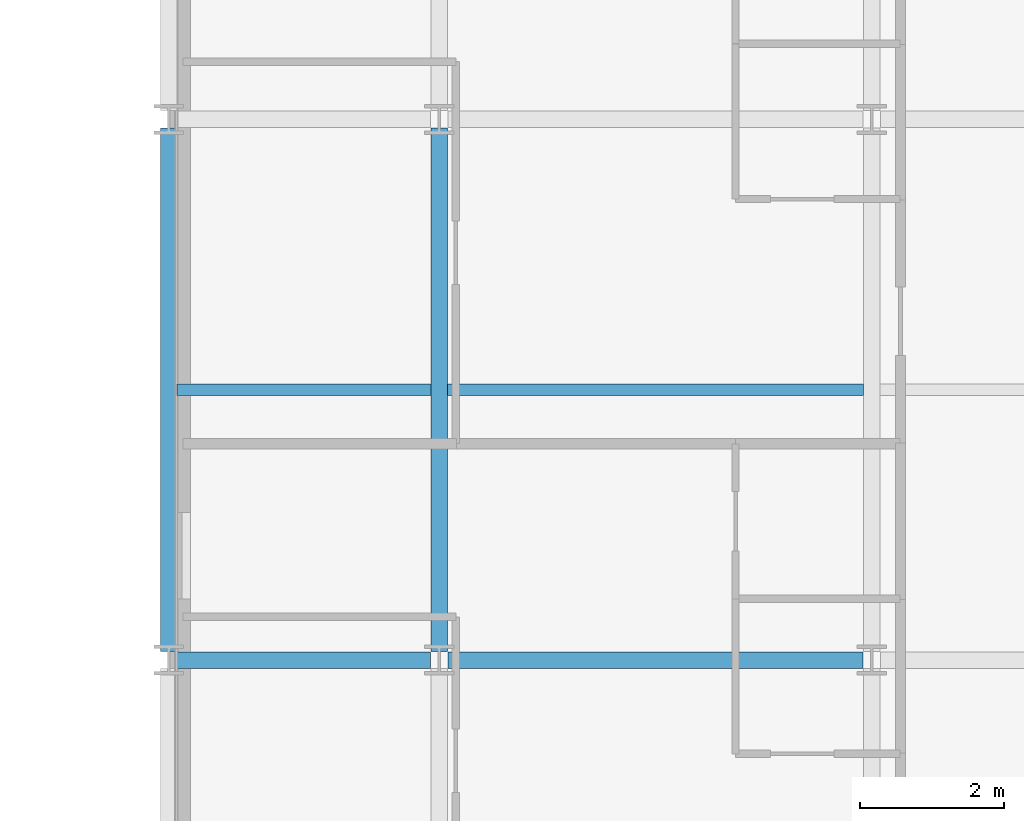
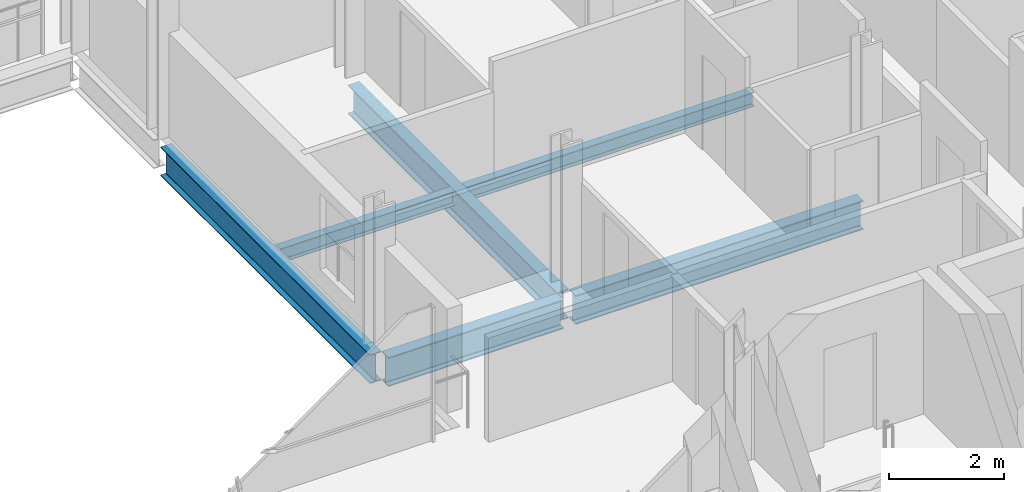
# One storey, part 16 of 40: 6 beams.
"""IFC4 building model written with IfcOpenShell, lengths in metres."""

from ifc_helpers import new_model, si_unit, direction, frame, origin, origin_2d, place, context, subcontext, project, spatial, i_section, extrude, material, material_profile, profile_set, type_object, element, save


model = new_model("IFC4")

# Units and contexts
model_context = context("Model", 3, precision=1e-05, world=origin(), true_north=direction((0.0, 1.0)))
body_context = subcontext(model_context, "Body", "Model", "MODEL_VIEW")
ifc_project = project(units=[si_unit("LENGTHUNIT", "METRE"), si_unit("AREAUNIT", "SQUARE_METRE"), si_unit("VOLUMEUNIT", "CUBIC_METRE"), si_unit("PLANEANGLEUNIT", "RADIAN"), si_unit("MASSUNIT", "GRAM", prefix="KILO")], contexts=[model_context])

# Site, building, storey
site_placement = place(None, origin())
site = spatial("IfcSite", under=ifc_project, at=site_placement, CompositionType="ELEMENT")
building_placement = place(site_placement, origin())
building = spatial("IfcBuilding", under=site, at=building_placement, Name="Brevholm Reach", CompositionType="ELEMENT")
storey_placement = place(building_placement, frame((0.0, 0.0, 131.39990234375)))
storey = spatial("IfcBuildingStorey", under=building, at=storey_placement, Name="L39", CompositionType="ELEMENT", Elevation=131.39990234375)

# Beams
ifc_material_1 = material(Name="Structural Steel S355J2", Category="steel")
ifc_material_profile_1 = material_profile(ifc_material_1, i_section(OverallWidth=0.1650390625, OverallDepth=0.303466796875, WebThickness=0.006103515625, FlangeThickness=0.01025390625, FilletRadius=0.0087890625, at=origin_2d()), Name="UKB 305x165x40")
ifc_profile_set_1 = profile_set([ifc_material_profile_1], Name="Structural Steel S355J2")
beam_type_1 = type_object("IfcBeamType", Name="BM-B305", PredefinedType="BEAM", material=ifc_profile_set_1)
beam_1_placement = place(storey_placement, frame((38.364501953125, 19.75, -0.37158203125), z_axis=(1.0, 0.0, 0.0), x_axis=(0.0, 1.0, 0.0)))
element("IfcBeam", 1, at=beam_1_placement, inside=storey, type_object=beam_type_1, Name="L39 Composite Secondary Floor Beam", PredefinedType="BEAM", context=body_context, shape_type="SweptSolid", body=[
    extrude(i_section(OverallWidth=0.1650390625, OverallDepth=0.303466796875, WebThickness=0.006103515625, FlangeThickness=0.01025390625, FilletRadius=0.0087890625, at=origin_2d()), origin(), (0.0, 0.0, 1.0), 3.52099609375),
])
beam_2_placement = place(storey_placement, frame((42.114501953125, 19.75, -0.37158203125), z_axis=(1.0, 0.0, 0.0), x_axis=(0.0, 1.0, 0.0)))
element("IfcBeam", 2, at=beam_2_placement, inside=storey, type_object=beam_type_1, Name="L39 Composite Secondary Floor Beam", PredefinedType="BEAM", context=body_context, shape_type="SweptSolid", body=[
    extrude(i_section(OverallWidth=0.1650390625, OverallDepth=0.303466796875, WebThickness=0.006103515625, FlangeThickness=0.01025390625, FilletRadius=0.0087890625, at=origin_2d()), origin(), (0.0, 0.0, 1.0), 5.77099609375),
])
ifc_material_2 = material(Name="Structural Steel S355J2", Category="steel")
ifc_material_profile_2 = material_profile(ifc_material_2, i_section(OverallWidth=0.22900390625, OverallDepth=0.6123046875, WebThickness=0.011962890625, FlangeThickness=0.01953125, FilletRadius=0.0126953125, at=origin_2d()), Name="UKB 610x229x125")
ifc_profile_set_2 = profile_set([ifc_material_profile_2], Name="Structural Steel S355J2")
beam_type_2 = type_object("IfcBeamType", Name="BM-SP610", PredefinedType="SPANDREL", material=ifc_profile_set_2)
beam_3_placement = place(storey_placement, frame((38.3701171875, 16.0, -0.526123046875), z_axis=(1.0, 0.0, 0.0), x_axis=(0.0, 1.0, 0.0)))
element("IfcBeam", 3, at=beam_3_placement, inside=storey, type_object=beam_type_2, Name="L39 SP-01 Framing Beam", PredefinedType="SPANDREL", context=body_context, shape_type="SweptSolid", body=[
    extrude(i_section(OverallWidth=0.22900390625, OverallDepth=0.6123046875, WebThickness=0.011962890625, FlangeThickness=0.01953125, FilletRadius=0.0126953125, at=origin_2d()), origin(), (0.0, 0.0, 1.0), 3.509765625),
])
beam_4_placement = place(storey_placement, frame((42.1201171875, 16.0, -0.526123046875), z_axis=(1.0, 0.0, 0.0), x_axis=(0.0, 1.0, 0.0)))
element("IfcBeam", 4, at=beam_4_placement, inside=storey, type_object=beam_type_2, Name="L39 SP-01 Framing Beam", PredefinedType="SPANDREL", context=body_context, shape_type="SweptSolid", body=[
    extrude(i_section(OverallWidth=0.22900390625, OverallDepth=0.6123046875, WebThickness=0.011962890625, FlangeThickness=0.01953125, FilletRadius=0.0126953125, at=origin_2d()), origin(), (0.0, 0.0, 1.0), 5.759765625),
])
for number, where, z_axis, x_axis, name in (
    (5, (38.25, 16.1201171875, -0.526123046875), (0.0, 1.0, 0.0), (-1.0, 0.0, 0.0), "L39 SP-01 Framing Beam"),
    (6, (42.0, 16.1201171875, -0.526123046875), (0.0, 1.0, 0.0), (-1.0, 0.0, 0.0), "L39 SP-01 Framing Beam"),
):
    element("IfcBeam", number, at=place(storey_placement, frame(where, z_axis=z_axis, x_axis=x_axis)), inside=storey, type_object=beam_type_2, Name=name, PredefinedType="SPANDREL", context=body_context, shape_type="SweptSolid", body=[
        extrude(i_section(OverallWidth=0.22900390625, OverallDepth=0.6123046875, WebThickness=0.011962890625, FlangeThickness=0.01953125, FilletRadius=0.0126953125, at=origin_2d()), origin(), (0.0, 0.0, 1.0), 7.259765625),
    ])

save(model, "model.ifc")
